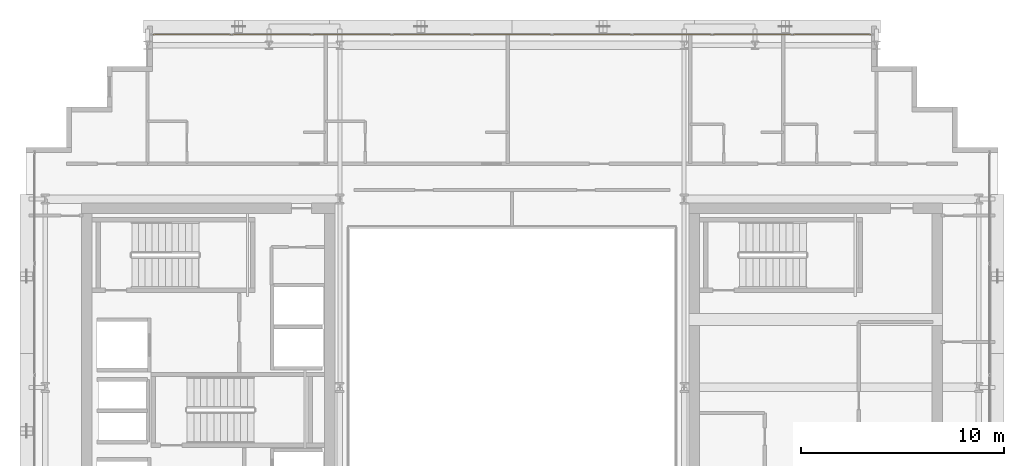
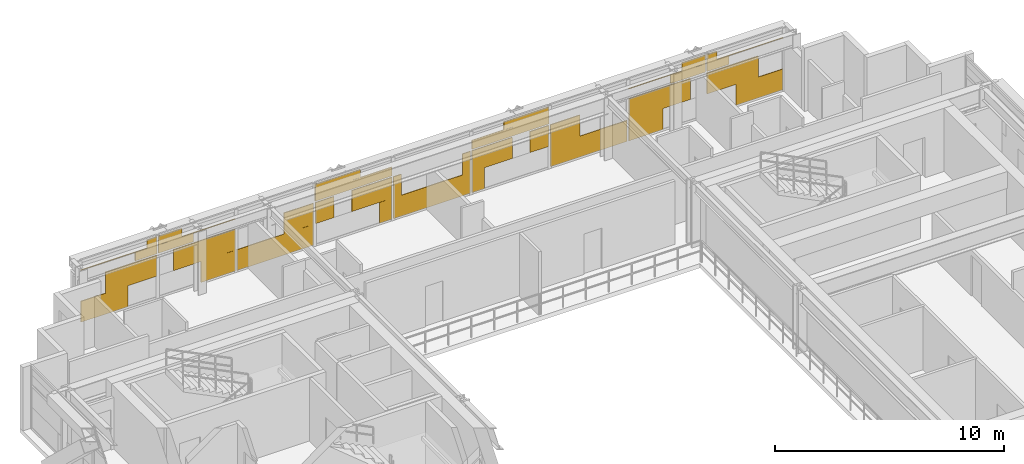
# One storey, part 31 of 31: 1 covering.
"""IFC4 building model written with IfcOpenShell, lengths in metres."""

from ifc_helpers import new_model, si_unit, direction, frame, origin, origin_2d, place, context, subcontext, project, spatial, rectangle, extrude, material, layer, layer_set, type_object, element, save


model = new_model("IFC4")

# Units and contexts
model_context = context("Model", 3, precision=1e-05, world=origin(), true_north=direction((0.0, 1.0)))
body_context = subcontext(model_context, "Body", "Model", "MODEL_VIEW")
ifc_project = project(units=[si_unit("LENGTHUNIT", "METRE"), si_unit("AREAUNIT", "SQUARE_METRE"), si_unit("VOLUMEUNIT", "CUBIC_METRE"), si_unit("PLANEANGLEUNIT", "RADIAN"), si_unit("MASSUNIT", "GRAM", prefix="KILO")], contexts=[model_context])

# Site, building, storey
site_placement = place(None, origin())
site = spatial("IfcSite", under=ifc_project, at=site_placement, CompositionType="ELEMENT")
building_placement = place(site_placement, origin())
building = spatial("IfcBuilding", under=site, at=building_placement, Name="Ocotamira Hotel", CompositionType="ELEMENT")
storey_placement = place(building_placement, frame((0.0, 0.0, 174.0)))
storey = spatial("IfcBuildingStorey", under=building, at=storey_placement, Name="L43", CompositionType="ELEMENT", Elevation=174.0)

# Covering
ifc_material = material(Name="Insulated pale-metal aluminium spandrel panel", Category="aluminium")
ifc_layer = layer(ifc_material, 0.044921875)
ifc_layer_set = layer_set([ifc_layer], Name="Insulated pale-metal aluminium spandrel panel")
covering_type = type_object("IfcCoveringType", Name="COV-INFILL-45", PredefinedType="CLADDING", material=ifc_layer_set)
covering_placement = place(storey_placement, origin())
element("IfcCovering", 1, at=covering_placement, inside=storey, type_object=covering_type, Name="L43 Curtain Wall Infill CW-4 CW-L43-N", PredefinedType="CLADDING", context=body_context, shape_type="SweptSolid", body=[
    extrude(rectangle(XDim=2.37158203125, YDim=0.044921875, at=origin_2d()), frame((15.46630859375, 45.580078125, 0.07568359375), z_axis=(0.0, 0.0, 1.0), x_axis=(1.0, 0.0, 0.0)), (0.0, 0.0, 1.0), 1.117919921875),
    extrude(rectangle(XDim=2.58251953125, YDim=0.044921875, at=origin_2d()), frame((16.82373046875, 45.580078125, 1.1943359375), z_axis=(0.0, 0.0, 1.0), x_axis=(1.0, 0.0, 0.0)), (0.0, 0.0, 1.0), 1.117919921875),
    extrude(rectangle(XDim=3.834716796875, YDim=0.044921875, at=origin_2d()), frame((16.19775390625, 45.580078125, 2.83154296875), z_axis=(0.0, 0.0, 1.0), x_axis=(1.0, 0.0, 0.0)), (0.0, 0.0, 1.0), 0.0302734375),
    extrude(rectangle(XDim=1.090576171875, YDim=0.044921875, at=origin_2d()), frame((17.56982421875, 45.580078125, 2.38818359375), z_axis=(0.0, 0.0, 1.0), x_axis=(1.0, 0.0, 0.0)), (0.0, 0.0, 1.0), 0.442626953125),
    extrude(rectangle(XDim=0.496826171875, YDim=0.044921875, at=origin_2d()), frame((17.86669921875, 45.580078125, 2.86279296875), z_axis=(0.0, 0.0, 1.0), x_axis=(1.0, 0.0, 0.0)), (0.0, 0.0, 1.0), 0.431640625),
    extrude(rectangle(XDim=3.12109375, YDim=0.044921875, at=origin_2d()), frame((20.510009765625, 45.580078125, 1.1943359375), z_axis=(0.0, 0.0, 1.0), x_axis=(1.0, 0.0, 0.0)), (0.0, 0.0, 1.0), 1.117919921875),
    extrude(rectangle(XDim=1.72265625, YDim=0.044921875, at=origin_2d()), frame((21.209228515625, 45.580078125, 0.07568359375), z_axis=(0.0, 0.0, 1.0), x_axis=(1.0, 0.0, 0.0)), (0.0, 0.0, 1.0), 1.117919921875),
    extrude(rectangle(XDim=1.779296875, YDim=0.044921875, at=origin_2d()), frame((19.085693359375, 45.580078125, 2.38818359375), z_axis=(0.0, 0.0, 1.0), x_axis=(1.0, 0.0, 0.0)), (0.0, 0.0, 1.0), 0.442626953125),
    extrude(rectangle(XDim=3.87451171875, YDim=0.044921875, at=origin_2d()), frame((20.13330078125, 45.580078125, 2.83154296875), z_axis=(0.0, 0.0, 1.0), x_axis=(1.0, 0.0, 0.0)), (0.0, 0.0, 1.0), 0.0302734375),
    extrude(rectangle(XDim=1.185791015625, YDim=0.044921875, at=origin_2d()), frame((18.7890625, 45.580078125, 2.86279296875), z_axis=(0.0, 0.0, 1.0), x_axis=(1.0, 0.0, 0.0)), (0.0, 0.0, 1.0), 0.431640625),
    extrude(rectangle(XDim=3.87451171875, YDim=0.044921875, at=origin_2d()), frame((24.0888671875, 45.580078125, 0.07568359375), z_axis=(0.0, 0.0, 1.0), x_axis=(1.0, 0.0, 0.0)), (0.0, 0.0, 1.0), 1.117919921875),
    extrude(rectangle(XDim=1.493896484375, YDim=0.044921875, at=origin_2d()), frame((25.279296875, 45.580078125, 1.1943359375), z_axis=(0.0, 0.0, 1.0), x_axis=(1.0, 0.0, 0.0)), (0.0, 0.0, 1.0), 1.117919921875),
    extrude(rectangle(XDim=0.943115234375, YDim=0.044921875, at=origin_2d()), frame((26.578857421875, 45.580078125, 1.1943359375), z_axis=(0.0, 0.0, 1.0), x_axis=(1.0, 0.0, 0.0)), (0.0, 0.0, 1.0), 1.117919921875),
    extrude(rectangle(XDim=2.031982421875, YDim=0.044921875, at=origin_2d()), frame((28.9658203125, 45.580078125, 1.1943359375), z_axis=(0.0, 0.0, 1.0), x_axis=(1.0, 0.0, 0.0)), (0.0, 0.0, 1.0), 1.117919921875),
    extrude(rectangle(XDim=0.6337890625, YDim=0.044921875, at=origin_2d()), frame((29.664794921875, 45.580078125, 0.07568359375), z_axis=(0.0, 0.0, 1.0), x_axis=(1.0, 0.0, 0.0)), (0.0, 0.0, 1.0), 1.117919921875),
    extrude(rectangle(XDim=3.87451171875, YDim=0.044921875, at=origin_2d()), frame((28.04443359375, 45.580078125, 2.38818359375), z_axis=(0.0, 0.0, 1.0), x_axis=(1.0, 0.0, 0.0)), (0.0, 0.0, 1.0), 0.473876953125),
    extrude(rectangle(XDim=2.274658203125, YDim=0.044921875, at=origin_2d()), frame((27.244384765625, 45.580078125, 2.86279296875), z_axis=(0.0, 0.0, 1.0), x_axis=(1.0, 0.0, 0.0)), (0.0, 0.0, 1.0), 0.431640625),
    extrude(rectangle(XDim=3.87451171875, YDim=0.044921875, at=origin_2d()), frame((32.0, 45.580078125, 0.07568359375), z_axis=(0.0, 0.0, 1.0), x_axis=(1.0, 0.0, 0.0)), (0.0, 0.0, 1.0), 1.117919921875),
    extrude(rectangle(XDim=0.40478515625, YDim=0.044921875, at=origin_2d()), frame((30.26513671875, 45.580078125, 1.1943359375), z_axis=(0.0, 0.0, 1.0), x_axis=(1.0, 0.0, 0.0)), (0.0, 0.0, 1.0), 1.117919921875),
    extrude(rectangle(XDim=0.40478515625, YDim=0.044921875, at=origin_2d()), frame((33.73486328125, 45.580078125, 1.1943359375), z_axis=(0.0, 0.0, 1.0), x_axis=(1.0, 0.0, 0.0)), (0.0, 0.0, 1.0), 1.117919921875),
    extrude(rectangle(XDim=0.6337890625, YDim=0.044921875, at=origin_2d()), frame((34.335205078125, 45.580078125, 0.07568359375), z_axis=(0.0, 0.0, 1.0), x_axis=(1.0, 0.0, 0.0)), (0.0, 0.0, 1.0), 1.117919921875),
    extrude(rectangle(XDim=2.031982421875, YDim=0.044921875, at=origin_2d()), frame((35.0341796875, 45.580078125, 1.1943359375), z_axis=(0.0, 0.0, 1.0), x_axis=(1.0, 0.0, 0.0)), (0.0, 0.0, 1.0), 1.117919921875),
    extrude(rectangle(XDim=0.943115234375, YDim=0.044921875, at=origin_2d()), frame((37.421142578125, 45.580078125, 1.1943359375), z_axis=(0.0, 0.0, 1.0), x_axis=(1.0, 0.0, 0.0)), (0.0, 0.0, 1.0), 1.117919921875),
    extrude(rectangle(XDim=3.87451171875, YDim=0.044921875, at=origin_2d()), frame((35.95556640625, 45.580078125, 2.38818359375), z_axis=(0.0, 0.0, 1.0), x_axis=(1.0, 0.0, 0.0)), (0.0, 0.0, 1.0), 0.473876953125),
    extrude(rectangle(XDim=2.274658203125, YDim=0.044921875, at=origin_2d()), frame((36.755615234375, 45.580078125, 2.86279296875), z_axis=(0.0, 0.0, 1.0), x_axis=(1.0, 0.0, 0.0)), (0.0, 0.0, 1.0), 0.431640625),
    extrude(rectangle(XDim=3.87451171875, YDim=0.044921875, at=origin_2d()), frame((39.9111328125, 45.580078125, 0.07568359375), z_axis=(0.0, 0.0, 1.0), x_axis=(1.0, 0.0, 0.0)), (0.0, 0.0, 1.0), 1.117919921875),
    extrude(rectangle(XDim=1.493896484375, YDim=0.044921875, at=origin_2d()), frame((38.720703125, 45.580078125, 1.1943359375), z_axis=(0.0, 0.0, 1.0), x_axis=(1.0, 0.0, 0.0)), (0.0, 0.0, 1.0), 1.117919921875),
    extrude(rectangle(XDim=1.72265625, YDim=0.044921875, at=origin_2d()), frame((42.790771484375, 45.580078125, 0.07568359375), z_axis=(0.0, 0.0, 1.0), x_axis=(1.0, 0.0, 0.0)), (0.0, 0.0, 1.0), 1.117919921875),
    extrude(rectangle(XDim=3.12109375, YDim=0.044921875, at=origin_2d()), frame((43.489990234375, 45.580078125, 1.1943359375), z_axis=(0.0, 0.0, 1.0), x_axis=(1.0, 0.0, 0.0)), (0.0, 0.0, 1.0), 1.117919921875),
    extrude(rectangle(XDim=3.87451171875, YDim=0.044921875, at=origin_2d()), frame((43.86669921875, 45.580078125, 2.83154296875), z_axis=(0.0, 0.0, 1.0), x_axis=(1.0, 0.0, 0.0)), (0.0, 0.0, 1.0), 0.0302734375),
    extrude(rectangle(XDim=1.779296875, YDim=0.044921875, at=origin_2d()), frame((44.914306640625, 45.580078125, 2.38818359375), z_axis=(0.0, 0.0, 1.0), x_axis=(1.0, 0.0, 0.0)), (0.0, 0.0, 1.0), 0.442626953125),
    extrude(rectangle(XDim=1.185791015625, YDim=0.044921875, at=origin_2d()), frame((45.2109375, 45.580078125, 2.86279296875), z_axis=(0.0, 0.0, 1.0), x_axis=(1.0, 0.0, 0.0)), (0.0, 0.0, 1.0), 0.431640625),
    extrude(rectangle(XDim=2.58251953125, YDim=0.044921875, at=origin_2d()), frame((47.17626953125, 45.580078125, 1.1943359375), z_axis=(0.0, 0.0, 1.0), x_axis=(1.0, 0.0, 0.0)), (0.0, 0.0, 1.0), 1.117919921875),
    extrude(rectangle(XDim=2.37158203125, YDim=0.044921875, at=origin_2d()), frame((48.53369140625, 45.580078125, 0.07568359375), z_axis=(0.0, 0.0, 1.0), x_axis=(1.0, 0.0, 0.0)), (0.0, 0.0, 1.0), 1.117919921875),
    extrude(rectangle(XDim=1.090576171875, YDim=0.044921875, at=origin_2d()), frame((46.43017578125, 45.580078125, 2.38818359375), z_axis=(0.0, 0.0, 1.0), x_axis=(1.0, 0.0, 0.0)), (0.0, 0.0, 1.0), 0.442626953125),
    extrude(rectangle(XDim=3.834716796875, YDim=0.044921875, at=origin_2d()), frame((47.80224609375, 45.580078125, 2.83154296875), z_axis=(0.0, 0.0, 1.0), x_axis=(1.0, 0.0, 0.0)), (0.0, 0.0, 1.0), 0.0302734375),
    extrude(rectangle(XDim=0.496826171875, YDim=0.044921875, at=origin_2d()), frame((46.13330078125, 45.580078125, 2.86279296875), z_axis=(0.0, 0.0, 1.0), x_axis=(1.0, 0.0, 0.0)), (0.0, 0.0, 1.0), 0.431640625),
])

save(model, "model.ifc")
